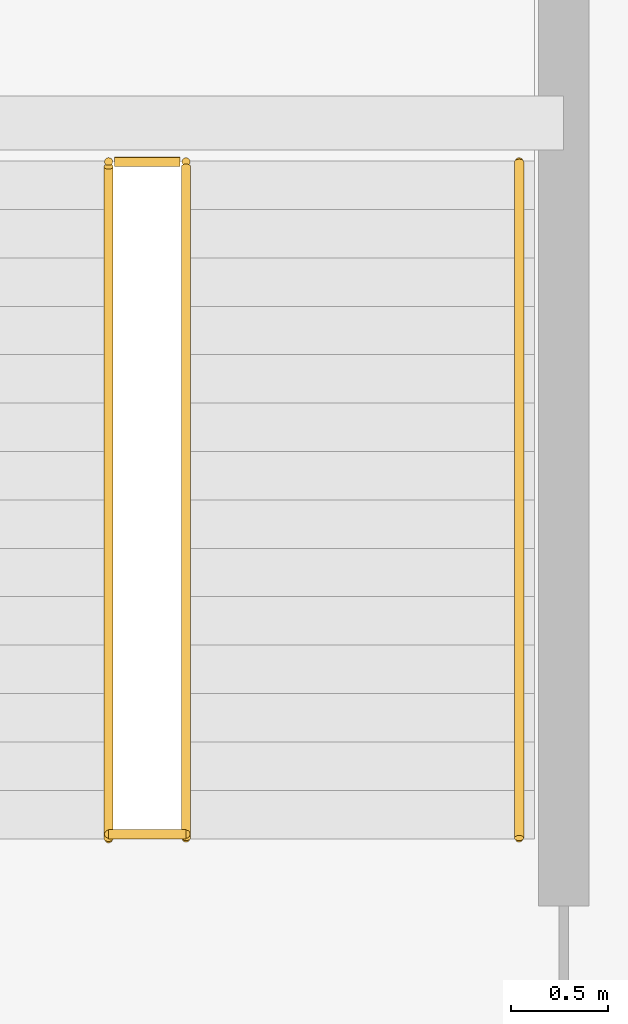
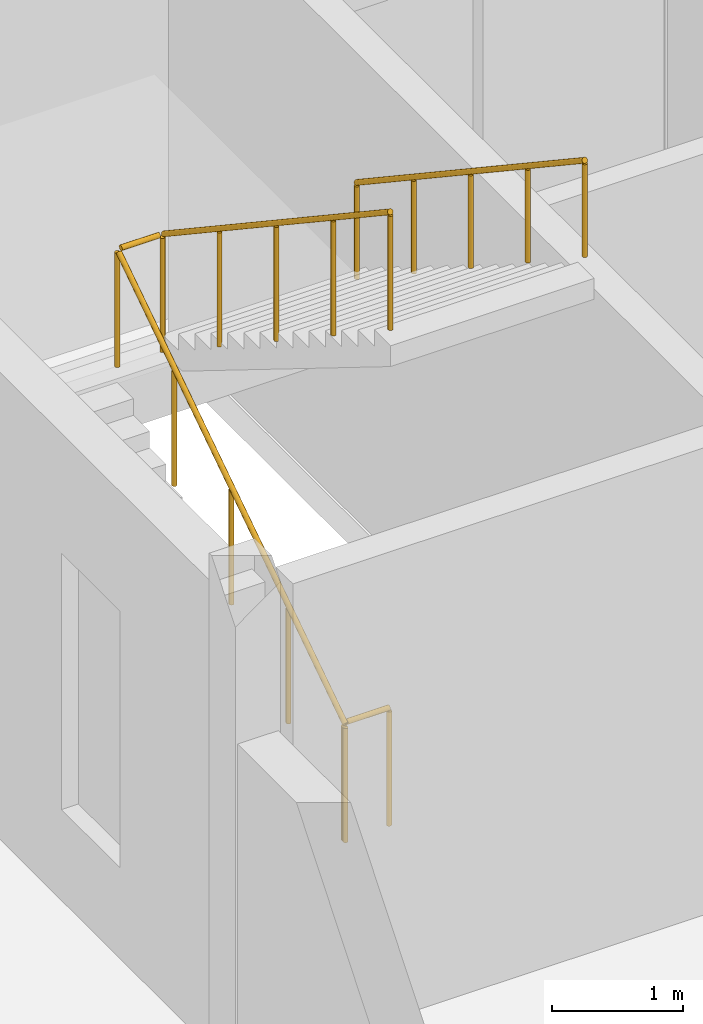
# One storey, part 30 of 30: 3 railings.
"""IFC4 building model written with IfcOpenShell, lengths in metres."""

from ifc_helpers import new_model, si_unit, direction, frame, origin, origin_2d, place, context, subcontext, project, spatial, circle, extrude, material, type_object, element, save


model = new_model("IFC4")

# Units and contexts
model_context = context("Model", 3, precision=1e-05, world=origin(), true_north=direction((0.0, 1.0)))
body_context = subcontext(model_context, "Body", "Model", "MODEL_VIEW")
ifc_project = project(units=[si_unit("LENGTHUNIT", "METRE"), si_unit("AREAUNIT", "SQUARE_METRE"), si_unit("VOLUMEUNIT", "CUBIC_METRE"), si_unit("PLANEANGLEUNIT", "RADIAN"), si_unit("MASSUNIT", "GRAM", prefix="KILO")], contexts=[model_context])

# Site, building, storey
site_placement = place(None, origin())
site = spatial("IfcSite", under=ifc_project, at=site_placement, CompositionType="ELEMENT")
building_placement = place(site_placement, origin())
building = spatial("IfcBuilding", under=site, at=building_placement, Name="Ornek Quay Market", CompositionType="ELEMENT")
storey_placement = place(building_placement, frame((0.0, 0.0, 12.0)))
storey = spatial("IfcBuildingStorey", under=building, at=storey_placement, Name="L03", CompositionType="ELEMENT", Elevation=12.0)

# Railings
ifc_material = material(Name="Brushed stainless steel 316", Category="steel")
railing_type_1 = type_object("IfcRailingType", Name="RL-GUARD-STAIR-1100", PredefinedType="GUARDRAIL", material=ifc_material)
railing_1_placement = place(storey_placement, frame((173.10009765625, 94.1201171875, 0.0)))
element("IfcRailing", 1, at=railing_1_placement, inside=storey, type_object=railing_type_1, Name="Railing GR-03-048", PredefinedType="GUARDRAIL", context=body_context, shape_type="SweptSolid", body=[
    extrude(circle(Radius=0.02392578125, at=origin_2d()), frame((0.0, 0.0, 1.09619140625), z_axis=(1.0, 0.0, 0.0), x_axis=(0.0, 1.0, 0.0)), (0.0, 0.0, 1.0), 0.39990234375),
    extrude(circle(Radius=0.02099609375, at=origin_2d()), origin(), (0.0, 0.0, 1.0), 1.068115234375),
    extrude(circle(Radius=0.02099609375, at=origin_2d()), frame((0.39990234375, 0.0, 0.0)), (0.0, 0.0, 1.0), 1.068115234375),
])
railing_2_placement = place(storey_placement, frame((173.10009765625, 94.095947265625, 0.0)))
element("IfcRailing", 2, at=railing_2_placement, inside=storey, type_object=railing_type_1, Name="Railing GR-03-049", PredefinedType="GUARDRAIL", context=body_context, shape_type="SweptSolid", body=[
    extrude(circle(Radius=0.02392578125, at=origin_2d()), frame((0.0, 0.0, 1.09619140625), z_axis=(0.0, 0.83268490818, 0.553747093617), x_axis=(-1.0, 0.0, 0.0)), (0.0, 0.0, 1.0), 4.168701171875),
    extrude(circle(Radius=0.02392578125, at=origin_2d()), frame((0.030029296875, 3.49609375, 3.4208984375), z_axis=(1.0, 0.0, 0.0), x_axis=(0.0, 1.0, 0.0)), (0.0, 0.0, 1.0), 0.33984375),
    extrude(circle(Radius=0.02392578125, at=origin_2d()), frame((0.39990234375, 3.47119140625, 3.437744140625), z_axis=(0.0, -0.832381417102, 0.554203190593), x_axis=(1.0, 0.0, 0.0)), (0.0, 0.0, 1.0), 4.1650390625),
    extrude(circle(Radius=0.02099609375, at=origin_2d()), origin(), (0.0, 0.0, 1.0), 1.068115234375),
    extrude(circle(Radius=0.02099609375, at=origin_2d()), frame((0.0, 0.8740234375, 0.581298828125)), (0.0, 0.0, 1.0), 1.068115234375),
    extrude(circle(Radius=0.02099609375, at=origin_2d()), frame((0.0, 1.748046875, 1.16259765625)), (0.0, 0.0, 1.0), 1.068115234375),
    extrude(circle(Radius=0.02099609375, at=origin_2d()), frame((0.0, 2.6220703125, 1.74365234375)), (0.0, 0.0, 1.0), 1.068115234375),
    extrude(circle(Radius=0.02099609375, at=origin_2d()), frame((0.0, 3.49609375, 2.324951171875)), (0.0, 0.0, 1.0), 1.068115234375),
    extrude(circle(Radius=0.02099609375, at=origin_2d()), frame((0.39990234375, 3.49609375, 2.324951171875)), (0.0, 0.0, 1.0), 1.068115234375),
    extrude(circle(Radius=0.02099609375, at=origin_2d()), frame((0.39990234375, 2.623046875, 2.90625)), (0.0, 0.0, 1.0), 1.068115234375),
    extrude(circle(Radius=0.02099609375, at=origin_2d()), frame((0.39990234375, 1.75, 3.4873046875)), (0.0, 0.0, 1.0), 1.068115234375),
    extrude(circle(Radius=0.02099609375, at=origin_2d()), frame((0.39990234375, 0.877197265625, 4.068603515625)), (0.0, 0.0, 1.0), 1.068115234375),
    extrude(circle(Radius=0.02099609375, at=origin_2d()), frame((0.39990234375, 0.004150390625, 4.64990234375)), (0.0, 0.0, 1.0), 1.068115234375),
])
railing_type_2 = type_object("IfcRailingType", Name="RL-HANDRAIL-920", PredefinedType="HANDRAIL", material=ifc_material)
railing_3_placement = place(storey_placement, frame((175.219970703125, 97.592041015625, 2.405029296875)))
element("IfcRailing", 3, at=railing_3_placement, inside=storey, type_object=railing_type_2, Name="Railing HR-01-051", PredefinedType="HANDRAIL", context=body_context, shape_type="SweptSolid", body=[
    extrude(circle(Radius=0.02392578125, at=origin_2d()), frame((0.0, 0.0, 0.89599609375), z_axis=(0.0, -0.832381417102, 0.554203190593), x_axis=(1.0, 0.0, 0.0)), (0.0, 0.0, 1.0), 4.195068359375),
    extrude(circle(Radius=0.02099609375, at=origin_2d()), origin(), (0.0, 0.0, 1.0), 0.867919921875),
    extrude(circle(Radius=0.02099609375, at=origin_2d()), frame((0.0, -0.873046875, 0.581298828125)), (0.0, 0.0, 1.0), 0.867919921875),
    extrude(circle(Radius=0.02099609375, at=origin_2d()), frame((0.0, -1.74609375, 1.16259765625)), (0.0, 0.0, 1.0), 0.867919921875),
    extrude(circle(Radius=0.02099609375, at=origin_2d()), frame((0.0, -2.618896484375, 1.74365234375)), (0.0, 0.0, 1.0), 0.867919921875),
    extrude(circle(Radius=0.02099609375, at=origin_2d()), frame((0.0, -3.491943359375, 2.324951171875)), (0.0, 0.0, 1.0), 0.867919921875),
])

save(model, "model.ifc")
